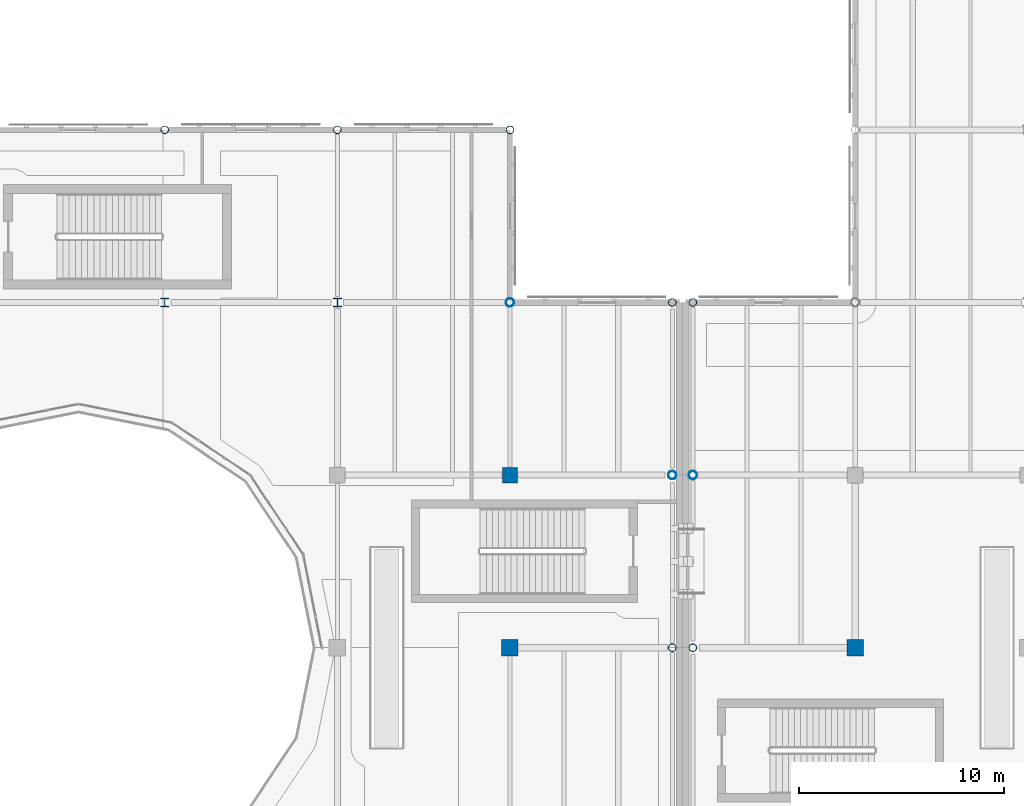
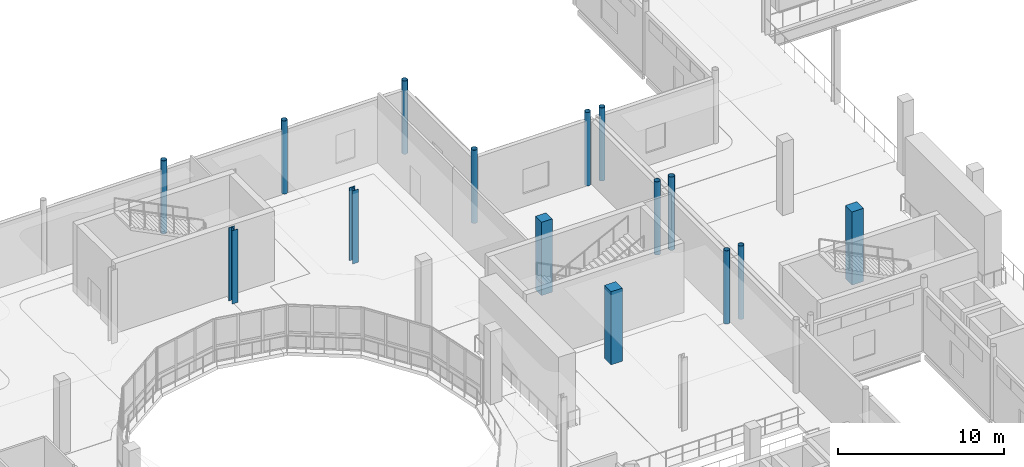
# One storey, part 7 of 110: 15 columns.
"""IFC4 building model written with IfcOpenShell, lengths in metres."""

from ifc_helpers import new_model, si_unit, direction, frame, origin, origin_2d, place, context, subcontext, project, spatial, rectangle, hollow_circle, i_section, extrude, material, material_profile, profile_set, type_object, element, save


model = new_model("IFC4")

# Units and contexts
model_context = context("Model", 3, precision=1e-05, world=origin(), true_north=direction((0.0, 1.0)))
body_context = subcontext(model_context, "Body", "Model", "MODEL_VIEW")
ifc_project = project(units=[si_unit("LENGTHUNIT", "METRE"), si_unit("AREAUNIT", "SQUARE_METRE"), si_unit("VOLUMEUNIT", "CUBIC_METRE"), si_unit("PLANEANGLEUNIT", "RADIAN"), si_unit("MASSUNIT", "GRAM", prefix="KILO"), si_unit("THERMODYNAMICTEMPERATUREUNIT", "KELVIN")], contexts=[model_context])

# Site, building, storey
site_placement = place(None, origin())
site = spatial("IfcSite", under=ifc_project, at=site_placement, CompositionType="ELEMENT")
building_placement = place(site_placement, origin())
building = spatial("IfcBuilding", under=site, at=building_placement, Name="Lustrewick Department Store", CompositionType="ELEMENT")
storey_placement = place(building_placement, frame((0.0, 0.0, 6.0)))
storey = spatial("IfcBuildingStorey", under=building, at=storey_placement, Name="L02", CompositionType="ELEMENT", Elevation=6.0)

# Columns
ifc_material_1 = material(Name="Structural steel Q355C", Category="steel")
ifc_material_profile_1 = material_profile(ifc_material_1, i_section(OverallWidth=0.405029296875, OverallDepth=0.4140625, WebThickness=0.01806640625, FlangeThickness=0.028076171875, FilletRadius=0.02197265625, at=origin_2d()), Name="HW 414x405x18x28")
ifc_profile_set_1 = profile_set([ifc_material_profile_1], Name="Structural steel Q355C")
column_type_1 = type_object("IfcColumnType", Name="C10", PredefinedType="COLUMN", material=ifc_profile_set_1)
for number, where, z_axis, x_axis, name in (
    (1, (33.60009765625, 84.0, 0.0), (0.0, 0.0, 1.0), (1.0, 0.0, 0.0), "L02 V1 Column C10"),
    (2, (42.0, 84.0, 0.0), (0.0, 0.0, 1.0), (1.0, 0.0, 0.0), "L02 V1 Column C10"),
):
    element("IfcColumn", number, at=place(storey_placement, frame(where, z_axis=z_axis, x_axis=x_axis)), inside=storey, type_object=column_type_1, Name=name, PredefinedType="COLUMN", context=body_context, shape_type="SweptSolid", body=[
        extrude(i_section(OverallWidth=0.405029296875, OverallDepth=0.4140625, WebThickness=0.01806640625, FlangeThickness=0.028076171875, FilletRadius=0.02197265625, at=origin_2d()), origin(), (0.0, 0.0, 1.0), 5.39990234375),
    ])
ifc_material_2 = material(Name="Concrete C40", Category="concrete")
ifc_material_profile_2 = material_profile(ifc_material_2, rectangle(XDim=0.800048828125, YDim=0.800048828125, at=origin_2d()), Name="RC 800x800")
ifc_profile_set_2 = profile_set([ifc_material_profile_2], Name="Concrete C40")
column_type_2 = type_object("IfcColumnType", Name="C19", PredefinedType="COLUMN", material=ifc_profile_set_2)
for number, where, z_axis, x_axis, name in (
    (3, (50.39990234375, 67.199951171875, 0.0), (0.0, 0.0, 1.0), (1.0, 0.0, 0.0), "L02 V1 Column C19"),
    (4, (67.199951171875, 67.199951171875, 0.0), (0.0, 0.0, 1.0), (1.0, 0.0, 0.0), "L02 V2 Column C19"),
):
    element("IfcColumn", number, at=place(storey_placement, frame(where, z_axis=z_axis, x_axis=x_axis)), inside=storey, type_object=column_type_2, Name=name, PredefinedType="COLUMN", context=body_context, shape_type="SweptSolid", body=[
        extrude(rectangle(XDim=0.800048828125, YDim=0.800048828125, at=origin_2d()), origin(), (0.0, 0.0, 1.0), 5.39990234375),
    ])
ifc_material_profile_3 = material_profile(ifc_material_2, rectangle(XDim=0.75, YDim=0.75, at=origin_2d()), Name="RC 750x750")
ifc_profile_set_3 = profile_set([ifc_material_profile_3], Name="Concrete C40")
column_type_3 = type_object("IfcColumnType", Name="C20", PredefinedType="COLUMN", material=ifc_profile_set_3)
column_placement = place(storey_placement, frame((50.39990234375, 75.60009765625, 0.0), z_axis=(0.0, 0.0, 1.0), x_axis=(1.0, 0.0, 0.0)))
element("IfcColumn", 5, at=column_placement, inside=storey, type_object=column_type_3, Name="L02 V1 Column C20", PredefinedType="COLUMN", context=body_context, shape_type="SweptSolid", body=[
    extrude(rectangle(XDim=0.75, YDim=0.75, at=origin_2d()), origin(), (0.0, 0.0, 1.0), 5.39990234375),
])
ifc_material_profile_4 = material_profile(ifc_material_1, hollow_circle(Radius=0.202880859375, WallThickness=0.01611328125, at=origin_2d()), Name="CHS 406x16")
ifc_profile_set_4 = profile_set([ifc_material_profile_4], Name="Structural steel Q355C")
column_type_4 = type_object("IfcColumnType", Name="CE03", PredefinedType="COLUMN", material=ifc_profile_set_4)
for number, where, z_axis, x_axis, name in (
    (6, (50.39990234375, 84.0, 0.0), (0.0, 0.0, 1.0), (1.0, 0.0, 0.0), "L02 V1 Column CE03"),
    (7, (58.300048828125, 75.60009765625, 0.0), (0.0, 0.0, 1.0), (1.0, 0.0, 0.0), "L02 V1 Column CE03"),
    (8, (59.300048828125, 75.60009765625, 0.0), (0.0, 0.0, 1.0), (1.0, 0.0, 0.0), "L02 V2 Column CE03"),
):
    element("IfcColumn", number, at=place(storey_placement, frame(where, z_axis=z_axis, x_axis=x_axis)), inside=storey, type_object=column_type_4, Name=name, PredefinedType="COLUMN", context=body_context, shape_type="SweptSolid", body=[
        extrude(hollow_circle(Radius=0.202880859375, WallThickness=0.01611328125, at=origin_2d()), origin(), (0.0, 0.0, 1.0), 5.39990234375),
    ])
ifc_material_3 = material(Name="Structural steel Q355B", Category="steel")
ifc_material_profile_5 = material_profile(ifc_material_3, hollow_circle(Radius=0.1884765625, WallThickness=0.013916015625, at=origin_2d()), Name="CHS 377x14")
ifc_profile_set_5 = profile_set([ifc_material_profile_5], Name="Structural steel Q355B")
column_type_5 = type_object("IfcColumnType", Name="CE04", PredefinedType="COLUMN", material=ifc_profile_set_5)
for number, where, z_axis, x_axis, name in (
    (9, (33.60009765625, 92.39990234375, 0.0), (0.0, 0.0, 1.0), (1.0, 0.0, 0.0), "L02 V1 Column CE04"),
    (10, (42.0, 92.39990234375, 0.0), (0.0, 0.0, 1.0), (1.0, 0.0, 0.0), "L02 V1 Column CE04"),
    (11, (50.39990234375, 92.39990234375, 0.0), (0.0, 0.0, 1.0), (1.0, 0.0, 0.0), "L02 V1 Column CE04"),
    (12, (58.300048828125, 67.199951171875, 0.0), (0.0, 0.0, 1.0), (1.0, 0.0, 0.0), "L02 V1 Column CE04"),
    (13, (58.300048828125, 84.0, 0.0), (0.0, 0.0, 1.0), (1.0, 0.0, 0.0), "L02 V1 Column CE04"),
    (14, (59.300048828125, 67.199951171875, 0.0), (0.0, 0.0, 1.0), (1.0, 0.0, 0.0), "L02 V2 Column CE04"),
    (15, (59.300048828125, 84.0, 0.0), (0.0, 0.0, 1.0), (1.0, 0.0, 0.0), "L02 V2 Column CE04"),
):
    element("IfcColumn", number, at=place(storey_placement, frame(where, z_axis=z_axis, x_axis=x_axis)), inside=storey, type_object=column_type_5, Name=name, PredefinedType="COLUMN", context=body_context, shape_type="SweptSolid", body=[
        extrude(hollow_circle(Radius=0.1884765625, WallThickness=0.013916015625, at=origin_2d()), origin(), (0.0, 0.0, 1.0), 5.39990234375),
    ])

save(model, "model.ifc")
